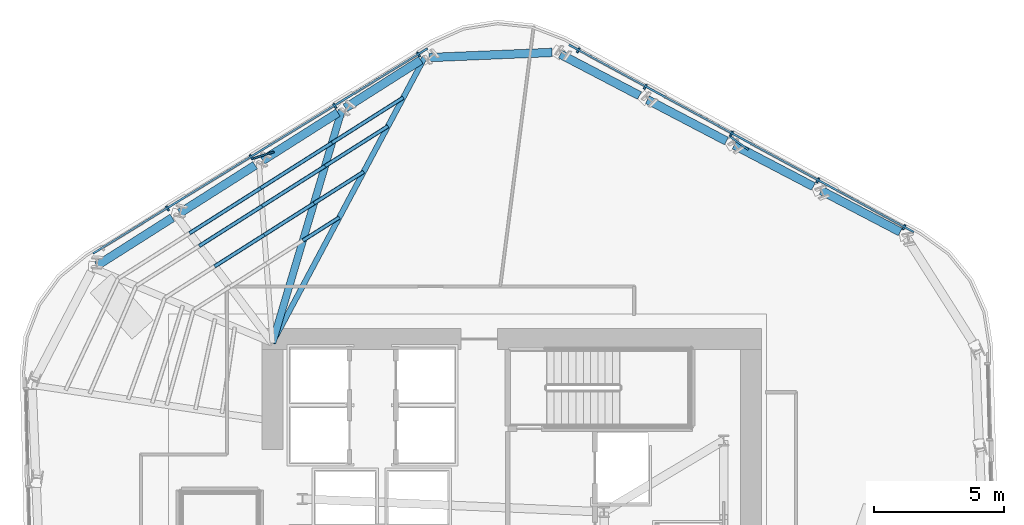
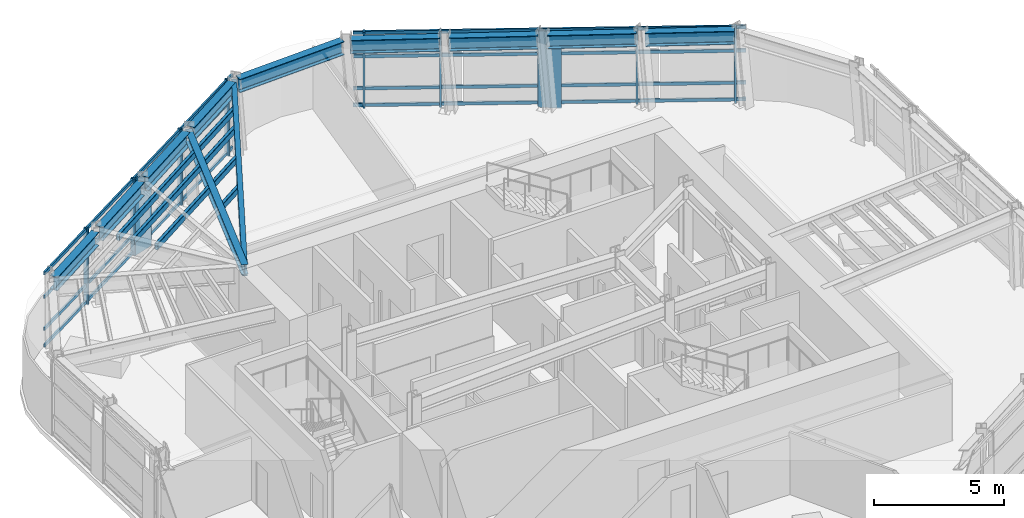
# One storey, part 6 of 15: 29 members, 11 beams, 2 elements without a shape of their own.
"""IFC4 building model written with IfcOpenShell, lengths in metres."""

from ifc_helpers import new_model, si_unit, direction, frame, origin, origin_2d, place, context, subcontext, project, spatial, rectangle, hollow_rectangle, i_section, extrude, material, layer, layer_set, material_profile, profile_set, type_object, element, aggregate, save


model = new_model("IFC4")

# Units and contexts
model_context = context("Model", 3, precision=1e-05, world=origin(), true_north=direction((0.0, 1.0)))
body_context = subcontext(model_context, "Body", "Model", "MODEL_VIEW")
ifc_project = project(units=[si_unit("LENGTHUNIT", "METRE"), si_unit("AREAUNIT", "SQUARE_METRE"), si_unit("VOLUMEUNIT", "CUBIC_METRE"), si_unit("PLANEANGLEUNIT", "RADIAN"), si_unit("MASSUNIT", "GRAM", prefix="KILO")], contexts=[model_context])

# Site, building, storey
site_placement = place(None, origin())
site = spatial("IfcSite", under=ifc_project, at=site_placement, CompositionType="ELEMENT")
building_placement = place(site_placement, origin())
building = spatial("IfcBuilding", under=site, at=building_placement, Name="Valkerne Bourse Tower", CompositionType="ELEMENT")
storey_placement = place(building_placement, frame((0.0, 0.0, 159.0)))
storey = spatial("IfcBuildingStorey", under=building, at=storey_placement, Name="L40", CompositionType="ELEMENT", Elevation=159.0)

# Beams
ifc_material_1 = material(Name="Steel ASTM A992", Category="steel")
ifc_material_profile_1 = material_profile(ifc_material_1, i_section(OverallWidth=0.279296875, OverallDepth=0.46240234375, WebThickness=0.0107421875, FlangeThickness=0.017333984375, FilletRadius=0.017822265625, at=origin_2d()), Name="W18X76")
ifc_profile_set_1 = profile_set([ifc_material_profile_1], Name="Steel ASTM A992")
beam_type_1 = type_object("IfcBeamType", Name="BM-W18X76", PredefinedType="BEAM", material=ifc_profile_set_1)
beam_1_placement = place(storey_placement, frame((40.26220703125, 44.33935546875, 3.348876953125), z_axis=(-0.285407019294, -0.958406403014, 0.0), x_axis=(0.958406403014, -0.285407019294, 0.0)))
element("IfcBeam", 1, at=beam_1_placement, inside=storey, type_object=beam_type_1, Name="L40 Radial Composite Floor Beam 06", PredefinedType="BEAM", context=body_context, shape_type="SweptSolid", body=[
    extrude(i_section(OverallWidth=0.279296875, OverallDepth=0.46240234375, WebThickness=0.0107421875, FlangeThickness=0.017333984375, FilletRadius=0.017822265625, at=origin_2d()), origin(), (0.0, 0.0, 1.0), 9.327392578125),
])
ifc_material_profile_2 = material_profile(ifc_material_1, i_section(OverallWidth=0.209228515625, OverallDepth=0.533447265625, WebThickness=0.01025390625, FlangeThickness=0.015625, FilletRadius=0.017822265625, at=origin_2d()), Name="W21X62")
ifc_profile_set_2 = profile_set([ifc_material_profile_2], Name="Steel ASTM A992")
beam_type_2 = type_object("IfcBeamType", Name="BM-W21X62", PredefinedType="JOIST", material=ifc_profile_set_2)
beam_2_placement = place(storey_placement, frame((43.4462890625, 46.360107421875, 3.313232421875), z_axis=(-0.470635159451, -0.882327913357, 0.0), x_axis=(0.882327913357, -0.470635159451, 0.0)))
element("IfcBeam", 2, at=beam_2_placement, inside=storey, type_object=beam_type_2, Name="L40 Radial Composite Floor Beam 05", PredefinedType="JOIST", context=body_context, shape_type="SweptSolid", body=[
    extrude(i_section(OverallWidth=0.209228515625, OverallDepth=0.533447265625, WebThickness=0.01025390625, FlangeThickness=0.015625, FilletRadius=0.017822265625, at=origin_2d()), origin(), (0.0, 0.0, 1.0), 12.421875),
])
ifc_material_profile_3 = material_profile(ifc_material_1, i_section(OverallWidth=0.32763671875, OverallDepth=0.62744140625, WebThickness=0.0166015625, FlangeThickness=0.027587890625, FilletRadius=0.020263671875, at=origin_2d()), Name="W24X146")
ifc_profile_set_3 = profile_set([ifc_material_profile_3], Name="Steel ASTM A992")
beam_type_3 = type_object("IfcBeamType", Name="BM-W24X146", PredefinedType="SPANDREL", material=ifc_profile_set_3)
for number, where, z_axis, x_axis, name in (
    (3, (61.73876953125, 39.6630859375, 3.266357421875), (-0.886197556634, 0.463307555103, 0.0), (-0.463307555103, -0.886197556634, 0.0), "L40 Hexagonal Spandrel Ring Beam 00"),
    (4, (58.39697265625, 41.410400390625, 3.266357421875), (-0.886226771893, 0.463251668944, 0.0), (-0.463251668944, -0.886226771893, 0.0), "L40 Hexagonal Spandrel Ring Beam 01"),
    (5, (55.054931640625, 43.157470703125, 3.266357421875), (-0.886226771893, 0.463251668944, 0.0), (-0.463251668944, -0.886226771893, 0.0), "L40 Hexagonal Spandrel Ring Beam 02"),
    (6, (51.713134765625, 44.904541015625, 3.266357421875), (-0.886226771893, 0.463251668944, 0.0), (-0.463251668944, -0.886226771893, 0.0), "L40 Hexagonal Spandrel Ring Beam 03"),
):
    element("IfcBeam", number, at=place(storey_placement, frame(where, z_axis=z_axis, x_axis=x_axis)), inside=storey, type_object=beam_type_3, Name=name, PredefinedType="SPANDREL", context=body_context, shape_type="SweptSolid", body=[
        extrude(i_section(OverallWidth=0.32763671875, OverallDepth=0.62744140625, WebThickness=0.0166015625, FlangeThickness=0.027587890625, FilletRadius=0.020263671875, at=origin_2d()), origin(), (0.0, 0.0, 1.0), 3.430908203125),
    ])
beam_3_placement = place(storey_placement, frame((48.35205078125, 46.565673828125, 3.266357421875), z_axis=(-0.999122866917, -0.041874775276, 0.0), x_axis=(0.041874775276, -0.999122866917, 0.0)))
element("IfcBeam", 7, at=beam_3_placement, inside=storey, type_object=beam_type_3, Name="L40 Hexagonal Spandrel Ring Beam 04", PredefinedType="SPANDREL", context=body_context, shape_type="SweptSolid", body=[
    extrude(i_section(OverallWidth=0.32763671875, OverallDepth=0.62744140625, WebThickness=0.0166015625, FlangeThickness=0.027587890625, FilletRadius=0.020263671875, at=origin_2d()), origin(), (0.0, 0.0, 1.0), 4.739990234375),
])
for number, where, z_axis, x_axis, name in (
    (8, (43.302734375, 46.268798828125, 3.266357421875), (-0.84434056338, -0.535806880351, 0.0), (0.535806880351, -0.84434056338, 0.0), "L40 Hexagonal Spandrel Ring Beam 05"),
    (9, (40.118896484375, 44.248291015625, 3.266357421875), (-0.84434056338, -0.535806880351, 0.0), (0.535806880351, -0.84434056338, 0.0), "L40 Hexagonal Spandrel Ring Beam 06"),
    (10, (36.934814453125, 42.227783203125, 3.266357421875), (-0.84434056338, -0.535806880351, 0.0), (0.535806880351, -0.84434056338, 0.0), "L40 Hexagonal Spandrel Ring Beam 07"),
    (11, (33.7509765625, 40.20703125, 3.266357421875), (-0.84434056338, -0.535806880351, 0.0), (0.535806880351, -0.84434056338, 0.0), "L40 Hexagonal Spandrel Ring Beam 08"),
):
    element("IfcBeam", number, at=place(storey_placement, frame(where, z_axis=z_axis, x_axis=x_axis)), inside=storey, type_object=beam_type_3, Name=name, PredefinedType="SPANDREL", context=body_context, shape_type="SweptSolid", body=[
        extrude(i_section(OverallWidth=0.32763671875, OverallDepth=0.62744140625, WebThickness=0.0166015625, FlangeThickness=0.027587890625, FilletRadius=0.020263671875, at=origin_2d()), origin(), (0.0, 0.0, 1.0), 3.43115234375),
    ])

# Curtain wall, members
ifc_material_2 = material(Name="Aluminium AA 6063-T6", Category="aluminium")
ifc_layer = layer(ifc_material_2, 0.235107421875)
ifc_layer_set = layer_set([ifc_layer], Name="Aluminium AA 6063-T6")
curtain_wall_type = type_object("IfcCurtainWallType", Name="CW-03", PredefinedType="NOTDEFINED", material=ifc_layer_set)
curtain_wall_1_placement = place(storey_placement, origin())
curtain_wall_1 = element("IfcCurtainWall", 12, at=curtain_wall_1_placement, inside=storey, type_object=curtain_wall_type, Name="L40 Hexagonal Stick Curtain Wall Face 1", PredefinedType="NOTDEFINED")
ifc_material_profile_4 = material_profile(ifc_material_2, rectangle(XDim=0.074951171875, YDim=0.199951171875, at=origin_2d()), Name="CWM-75X200")
ifc_profile_set_4 = profile_set([ifc_material_profile_4], Name="Aluminium AA 6063-T6")
member_type_1 = type_object("IfcMemberType", Name="CW-MUL-220X75", PredefinedType="MULLION", material=ifc_profile_set_4)
member_1_placement = place(storey_placement, frame((61.87841796875, 39.84521484375, 0.0), z_axis=(0.0, 0.0, 1.0), x_axis=(-0.878823249644, 0.477147457171, 0.0)))
member_1 = element("IfcMember", 13, at=member_1_placement, type_object=member_type_1, Name="CW-L40-F1 Jamb Mullion 00A", PredefinedType="MULLION", context=body_context, shape_type="SweptSolid", body=[
    extrude(rectangle(XDim=0.074951171875, YDim=0.199951171875, at=origin_2d()), origin(), (0.0, 0.0, 1.0), 3.580078125),
])
member_2_placement = place(storey_placement, frame((58.564208984375, 41.644287109375, 0.0), z_axis=(0.0, 0.0, 1.0), x_axis=(-0.878812129585, 0.477167937831, 0.0)))
member_2 = element("IfcMember", 14, at=member_2_placement, type_object=member_type_1, Name="CW-L40-F1 Jamb Mullion 01A", PredefinedType="MULLION", context=body_context, shape_type="SweptSolid", body=[
    extrude(rectangle(XDim=0.074951171875, YDim=0.199951171875, at=origin_2d()), origin(), (0.0, 0.0, 1.0), 3.580078125),
])
member_3_placement = place(storey_placement, frame((55.250244140625, 43.44384765625, 0.0), z_axis=(0.0, 0.0, 1.0), x_axis=(-0.878823249644, 0.477147457171, 0.0)))
member_3 = element("IfcMember", 15, at=member_3_placement, type_object=member_type_1, Name="CW-L40-F1 Jamb Mullion 02A", PredefinedType="MULLION", context=body_context, shape_type="SweptSolid", body=[
    extrude(rectangle(XDim=0.074951171875, YDim=0.199951171875, at=origin_2d()), origin(), (0.0, 0.0, 1.0), 3.580078125),
])
member_4_placement = place(storey_placement, frame((51.936279296875, 45.2431640625, 0.0), z_axis=(0.0, 0.0, 1.0), x_axis=(-0.878812129585, 0.477167937831, 0.0)))
member_4 = element("IfcMember", 16, at=member_4_placement, type_object=member_type_1, Name="CW-L40-F1 Jamb Mullion 03A", PredefinedType="MULLION", context=body_context, shape_type="SweptSolid", body=[
    extrude(rectangle(XDim=0.074951171875, YDim=0.199951171875, at=origin_2d()), origin(), (0.0, 0.0, 1.0), 3.580078125),
])
member_5_placement = place(storey_placement, frame((49.360595703125, 46.6416015625, 0.0), z_axis=(0.0, 0.0, 1.0), x_axis=(-0.878812129585, 0.477167937831, 0.0)))
member_5 = element("IfcMember", 17, at=member_5_placement, type_object=member_type_1, Name="CW-L40-F1 Jamb Mullion 03B", PredefinedType="MULLION", context=body_context, shape_type="SweptSolid", body=[
    extrude(rectangle(XDim=0.074951171875, YDim=0.199951171875, at=origin_2d()), origin(), (0.0, 0.0, 1.0), 3.580078125),
])

curtain_wall_2_placement = place(storey_placement, origin())
curtain_wall_2 = element("IfcCurtainWall", 18, at=curtain_wall_2_placement, inside=storey, type_object=curtain_wall_type, Name="L40 Hexagonal Stick Curtain Wall Face 2", PredefinedType="NOTDEFINED")
member_6_placement = place(storey_placement, frame((43.215087890625, 46.480712890625, 0.0), z_axis=(0.0, 0.0, 1.0), x_axis=(-0.852644697846, -0.522491166657, 0.0)))
member_6 = element("IfcMember", 19, at=member_6_placement, type_object=member_type_1, Name="CW-L40-F2 Jamb Mullion 00A", PredefinedType="MULLION", context=body_context, shape_type="SweptSolid", body=[
    extrude(rectangle(XDim=0.074951171875, YDim=0.199951171875, at=origin_2d()), origin(), (0.0, 0.0, 1.0), 3.580078125),
])
member_7_placement = place(storey_placement, frame((39.999755859375, 44.510498046875, 0.0), z_axis=(0.0, 0.0, 1.0), x_axis=(-0.85263288388, -0.522510445184, 0.0)))
member_7 = element("IfcMember", 20, at=member_7_placement, type_object=member_type_1, Name="CW-L40-F2 Jamb Mullion 01A", PredefinedType="MULLION", context=body_context, shape_type="SweptSolid", body=[
    extrude(rectangle(XDim=0.074951171875, YDim=0.199951171875, at=origin_2d()), origin(), (0.0, 0.0, 1.0), 3.580078125),
])
member_8_placement = place(storey_placement, frame((36.784423828125, 42.5400390625, 0.0), z_axis=(0.0, 0.0, 1.0), x_axis=(-0.852644697846, -0.522491166657, 0.0)))
member_8 = element("IfcMember", 21, at=member_8_placement, type_object=member_type_1, Name="CW-L40-F2 Jamb Mullion 02A", PredefinedType="MULLION", context=body_context, shape_type="SweptSolid", body=[
    extrude(rectangle(XDim=0.074951171875, YDim=0.199951171875, at=origin_2d()), origin(), (0.0, 0.0, 1.0), 3.580078125),
])
member_9_placement = place(storey_placement, frame((33.569091796875, 40.56982421875, 0.0), z_axis=(0.0, 0.0, 1.0), x_axis=(-0.852644697846, -0.522491166657, 0.0)))
member_9 = element("IfcMember", 22, at=member_9_placement, type_object=member_type_1, Name="CW-L40-F2 Jamb Mullion 03A", PredefinedType="MULLION", context=body_context, shape_type="SweptSolid", body=[
    extrude(rectangle(XDim=0.074951171875, YDim=0.199951171875, at=origin_2d()), origin(), (0.0, 0.0, 1.0), 3.580078125),
])

# Member
ifc_material_profile_5 = material_profile(ifc_material_2, rectangle(XDim=0.074951171875, YDim=0.14990234375, at=origin_2d()), Name="CWT-75X150")
ifc_profile_set_5 = profile_set([ifc_material_profile_5], Name="Aluminium AA 6063-T6")
member_type_2 = type_object("IfcMemberType", Name="CW-TRN-180X65", PredefinedType="USERDEFINED", material=ifc_profile_set_5)
member_10_placement = place(storey_placement, frame((62.257080078125, 39.662353515625, 0.1201171875), z_axis=(-0.878822987704, 0.477147939619, 0.0), x_axis=(-0.477147939619, -0.878822987704, 0.0)))
member_10 = element("IfcMember", 23, at=member_10_placement, type_object=member_type_2, Name="CW-L40-F1 Continuous Face Transom 1", ObjectType="TRANSOM", PredefinedType="USERDEFINED", context=body_context, shape_type="SweptSolid", body=[
    extrude(rectangle(XDim=0.074951171875, YDim=0.14990234375, at=origin_2d()), origin(), (0.0, 0.0, 1.0), 15.083984375),
])

member_11_placement = place(storey_placement, frame((62.257080078125, 39.662353515625, 0.89990234375), z_axis=(-0.878822987704, 0.477147939619, 0.0), x_axis=(-0.477147939619, -0.878822987704, 0.0)))
member_11 = element("IfcMember", 24, at=member_11_placement, type_object=member_type_2, Name="CW-L40-F1 Continuous Face Transom 2", ObjectType="TRANSOM", PredefinedType="USERDEFINED", context=body_context, shape_type="SweptSolid", body=[
    extrude(rectangle(XDim=0.074951171875, YDim=0.14990234375, at=origin_2d()), origin(), (0.0, 0.0, 1.0), 15.083984375),
])

member_12_placement = place(storey_placement, frame((62.257080078125, 39.662353515625, 2.39990234375), z_axis=(-0.878822987704, 0.477147939619, 0.0), x_axis=(-0.477147939619, -0.878822987704, 0.0)))
member_12 = element("IfcMember", 25, at=member_12_placement, type_object=member_type_2, Name="CW-L40-F1 Continuous Face Transom 3", ObjectType="TRANSOM", PredefinedType="USERDEFINED", context=body_context, shape_type="SweptSolid", body=[
    extrude(rectangle(XDim=0.074951171875, YDim=0.14990234375, at=origin_2d()), origin(), (0.0, 0.0, 1.0), 15.083984375),
])

member_13_placement = place(storey_placement, frame((62.257080078125, 39.662353515625, 3.5), z_axis=(-0.878822987704, 0.477147939619, 0.0), x_axis=(-0.477147939619, -0.878822987704, 0.0)))
member_13 = element("IfcMember", 26, at=member_13_placement, type_object=member_type_2, Name="CW-L40-F1 Continuous Face Transom 4", ObjectType="TRANSOM", PredefinedType="USERDEFINED", context=body_context, shape_type="SweptSolid", body=[
    extrude(rectangle(XDim=0.074951171875, YDim=0.14990234375, at=origin_2d()), origin(), (0.0, 0.0, 1.0), 15.083984375),
])

aggregate(curtain_wall_1, [member_10, member_11, member_12, member_13, member_1, member_2, member_3, member_4, member_5])

member_14_placement = place(storey_placement, frame((43.562744140625, 46.71728515625, 0.1201171875), z_axis=(-0.85264265575, -0.522494499106, 0.0), x_axis=(0.522494499106, -0.85264265575, 0.0)))
member_14 = element("IfcMember", 27, at=member_14_placement, type_object=member_type_2, Name="CW-L40-F2 Continuous Face Transom 1", ObjectType="TRANSOM", PredefinedType="USERDEFINED", context=body_context, shape_type="SweptSolid", body=[
    extrude(rectangle(XDim=0.074951171875, YDim=0.14990234375, at=origin_2d()), origin(), (0.0, 0.0, 1.0), 15.083984375),
])

member_15_placement = place(storey_placement, frame((43.562744140625, 46.71728515625, 0.89990234375), z_axis=(-0.85264265575, -0.522494499106, 0.0), x_axis=(0.522494499106, -0.85264265575, 0.0)))
member_15 = element("IfcMember", 28, at=member_15_placement, type_object=member_type_2, Name="CW-L40-F2 Continuous Face Transom 2", ObjectType="TRANSOM", PredefinedType="USERDEFINED", context=body_context, shape_type="SweptSolid", body=[
    extrude(rectangle(XDim=0.074951171875, YDim=0.14990234375, at=origin_2d()), origin(), (0.0, 0.0, 1.0), 15.083984375),
])

member_16_placement = place(storey_placement, frame((43.562744140625, 46.71728515625, 2.39990234375), z_axis=(-0.85264265575, -0.522494499106, 0.0), x_axis=(0.522494499106, -0.85264265575, 0.0)))
member_16 = element("IfcMember", 29, at=member_16_placement, type_object=member_type_2, Name="CW-L40-F2 Continuous Face Transom 3", ObjectType="TRANSOM", PredefinedType="USERDEFINED", context=body_context, shape_type="SweptSolid", body=[
    extrude(rectangle(XDim=0.074951171875, YDim=0.14990234375, at=origin_2d()), origin(), (0.0, 0.0, 1.0), 15.083984375),
])

member_17_placement = place(storey_placement, frame((43.562744140625, 46.71728515625, 3.5), z_axis=(-0.85264265575, -0.522494499106, 0.0), x_axis=(0.522494499106, -0.85264265575, 0.0)))
member_17 = element("IfcMember", 30, at=member_17_placement, type_object=member_type_2, Name="CW-L40-F2 Continuous Face Transom 4", ObjectType="TRANSOM", PredefinedType="USERDEFINED", context=body_context, shape_type="SweptSolid", body=[
    extrude(rectangle(XDim=0.074951171875, YDim=0.14990234375, at=origin_2d()), origin(), (0.0, 0.0, 1.0), 15.083984375),
])

aggregate(curtain_wall_2, [member_14, member_15, member_16, member_17, member_6, member_7, member_8, member_9])

# Members
ifc_material_3 = material(Name="Bronze Anodised Aluminium AA 6063-T6", Category="aluminium")
ifc_material_profile_6 = material_profile(ifc_material_3, rectangle(XDim=0.070068359375, YDim=0.89990234375, at=origin_2d()), Name="FIN-70X900")
ifc_profile_set_6 = profile_set([ifc_material_profile_6], Name="Bronze Anodised Aluminium AA 6063-T6")
member_type_3 = type_object("IfcMemberType", Name="FIN-SOLAR-900", PredefinedType="USERDEFINED", material=ifc_profile_set_6)
for number, where, z_axis, x_axis, name in (
    (31, (55.533447265625, 43.085205078125, 0.00390625), (0.0, 0.0, 1.0), (0.585161449772, 0.810916813059, 0.0), "L40 Bronze Anodised Solar Fin F1-02"),
    (32, (37.236572265625, 42.60595703125, 0.00390625), (0.0, 0.0, 1.0), (-0.300777326656, 0.953694395375, 0.0), "L40 Bronze Anodised Solar Fin F2-02"),
):
    element("IfcMember", number, at=place(storey_placement, frame(where, z_axis=z_axis, x_axis=x_axis)), inside=storey, type_object=member_type_3, Name=name, ObjectType="SOLAR_FIN", PredefinedType="USERDEFINED", context=body_context, shape_type="SweptSolid", body=[
        extrude(rectangle(XDim=0.070068359375, YDim=0.89990234375, at=origin_2d()), origin(), (0.0, 0.0, 1.0), 3.572021484375),
    ])
ifc_material_4 = material(Name="Steel ASTM A500 Grade C", Category="steel")
ifc_material_profile_7 = material_profile(ifc_material_4, hollow_rectangle(XDim=0.14990234375, YDim=0.300048828125, WallThickness=0.012451171875, OuterFilletRadius=0.02490234375, at=origin_2d()), Name="HSS300X150X12.5")
ifc_profile_set_7 = profile_set([ifc_material_profile_7], Name="Steel ASTM A500 Grade C")
member_type_4 = type_object("IfcMemberType", Name="MBR-HSS300X150X12.5", PredefinedType="PURLIN", material=ifc_profile_set_7)
member_18_placement = place(storey_placement, frame((40.17236328125, 40.222412109375, 3.419921875), z_axis=(-0.84429101335, -0.535884954796, 0.0), x_axis=(0.535884954796, -0.84429101335, 0.0)))
element("IfcMember", 33, at=member_18_placement, inside=storey, type_object=member_type_4, Name="L40 Secondary Composite Floor Purlin K-05", PredefinedType="PURLIN", context=body_context, shape_type="SweptSolid", body=[
    extrude(hollow_rectangle(XDim=0.14990234375, YDim=0.300048828125, WallThickness=0.012451171875, OuterFilletRadius=0.02490234375, at=origin_2d()), origin(), (0.0, 0.0, 1.0), 1.6591796875),
])
member_19_placement = place(storey_placement, frame((42.043212890625, 43.7294921875, 3.419921875), z_axis=(-0.844341277877, -0.535805754423, 0.0), x_axis=(0.535805754423, -0.844341277877, 0.0)))
element("IfcMember", 34, at=member_19_placement, inside=storey, type_object=member_type_4, Name="L40 Secondary Composite Floor Purlin O-05", PredefinedType="PURLIN", context=body_context, shape_type="SweptSolid", body=[
    extrude(hollow_rectangle(XDim=0.14990234375, YDim=0.300048828125, WallThickness=0.012451171875, OuterFilletRadius=0.02490234375, at=origin_2d()), origin(), (0.0, 0.0, 1.0), 2.865966796875),
])
member_20_placement = place(storey_placement, frame((39.623291015625, 42.19384765625, 3.419921875), z_axis=(-0.844316820024, -0.535844294012, 0.0), x_axis=(0.535844294012, -0.844316820024, 0.0)))
element("IfcMember", 35, at=member_20_placement, inside=storey, type_object=member_type_4, Name="L40 Secondary Composite Floor Purlin O-06", PredefinedType="PURLIN", context=body_context, shape_type="SweptSolid", body=[
    extrude(hollow_rectangle(XDim=0.14990234375, YDim=0.300048828125, WallThickness=0.012451171875, OuterFilletRadius=0.02490234375, at=origin_2d()), origin(), (0.0, 0.0, 1.0), 2.86572265625),
])
member_21_placement = place(storey_placement, frame((37.20361328125, 40.658203125, 3.419921875), z_axis=(-0.844341277877, -0.535805754423, 0.0), x_axis=(0.535805754423, -0.844341277877, 0.0)))
element("IfcMember", 36, at=member_21_placement, inside=storey, type_object=member_type_4, Name="L40 Secondary Composite Floor Purlin O-07", PredefinedType="PURLIN", context=body_context, shape_type="SweptSolid", body=[
    extrude(hollow_rectangle(XDim=0.14990234375, YDim=0.300048828125, WallThickness=0.012451171875, OuterFilletRadius=0.02490234375, at=origin_2d()), origin(), (0.0, 0.0, 1.0), 2.865966796875),
])
for number, where, z_axis, x_axis, name in (
    (37, (41.10791015625, 41.97607421875, 3.419921875), (-0.844322848789, -0.535834794516, 0.0), (0.535834794516, -0.844322848789, 0.0), "L40 Secondary Composite Floor Purlin Z-05"),
    (38, (39.197509765625, 40.763671875, 3.419921875), (-0.844322848789, -0.535834794516, 0.0), (0.535834794516, -0.844322848789, 0.0), "L40 Secondary Composite Floor Purlin Z-06"),
    (39, (37.287109375, 39.55126953125, 3.419921875), (-0.844322848789, -0.535834794516, 0.0), (0.535834794516, -0.844322848789, 0.0), "L40 Secondary Composite Floor Purlin Z-07"),
):
    element("IfcMember", number, at=place(storey_placement, frame(where, z_axis=z_axis, x_axis=x_axis)), inside=storey, type_object=member_type_4, Name=name, PredefinedType="PURLIN", context=body_context, shape_type="SweptSolid", body=[
        extrude(hollow_rectangle(XDim=0.14990234375, YDim=0.300048828125, WallThickness=0.012451171875, OuterFilletRadius=0.02490234375, at=origin_2d()), origin(), (0.0, 0.0, 1.0), 2.2626953125),
    ])
member_22_placement = place(storey_placement, frame((42.627685546875, 44.82568359375, 3.419921875), z_axis=(-0.844302564826, -0.53586675492, 0.0), x_axis=(0.53586675492, -0.844302564826, 0.0)))
element("IfcMember", 40, at=member_22_placement, inside=storey, type_object=member_type_4, Name="L40 Secondary Composite Floor Purlin T-05", PredefinedType="PURLIN", context=body_context, shape_type="SweptSolid", body=[
    extrude(hollow_rectangle(XDim=0.14990234375, YDim=0.300048828125, WallThickness=0.012451171875, OuterFilletRadius=0.02490234375, at=origin_2d()), origin(), (0.0, 0.0, 1.0), 3.242919921875),
])
member_23_placement = place(storey_placement, frame((39.8896484375, 43.087890625, 3.419921875), z_axis=(-0.844324180613, -0.535832695935, 0.0), x_axis=(0.535832695935, -0.844324180613, 0.0)))
element("IfcMember", 41, at=member_23_placement, inside=storey, type_object=member_type_4, Name="L40 Secondary Composite Floor Purlin T-06", PredefinedType="PURLIN", context=body_context, shape_type="SweptSolid", body=[
    extrude(hollow_rectangle(XDim=0.14990234375, YDim=0.300048828125, WallThickness=0.012451171875, OuterFilletRadius=0.02490234375, at=origin_2d()), origin(), (0.0, 0.0, 1.0), 3.2431640625),
])
member_24_placement = place(storey_placement, frame((37.1513671875, 41.35009765625, 3.419921875), z_axis=(-0.844358237538, -0.535779027867, 0.0), x_axis=(0.535779027867, -0.844358237538, 0.0)))
element("IfcMember", 42, at=member_24_placement, inside=storey, type_object=member_type_4, Name="L40 Secondary Composite Floor Purlin T-07", PredefinedType="PURLIN", context=body_context, shape_type="SweptSolid", body=[
    extrude(hollow_rectangle(XDim=0.14990234375, YDim=0.300048828125, WallThickness=0.012451171875, OuterFilletRadius=0.02490234375, at=origin_2d()), origin(), (0.0, 0.0, 1.0), 3.242919921875),
])

save(model, "model.ifc")
